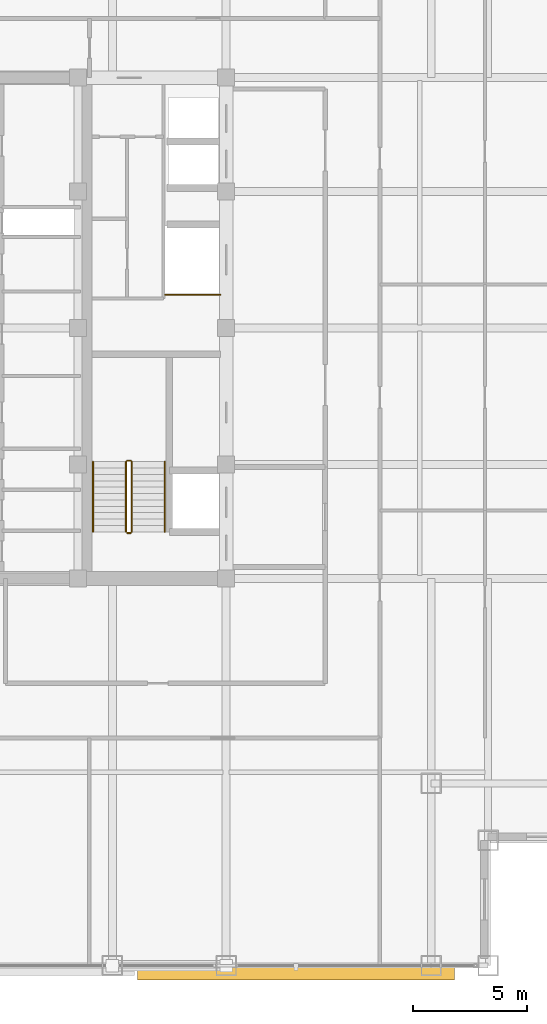
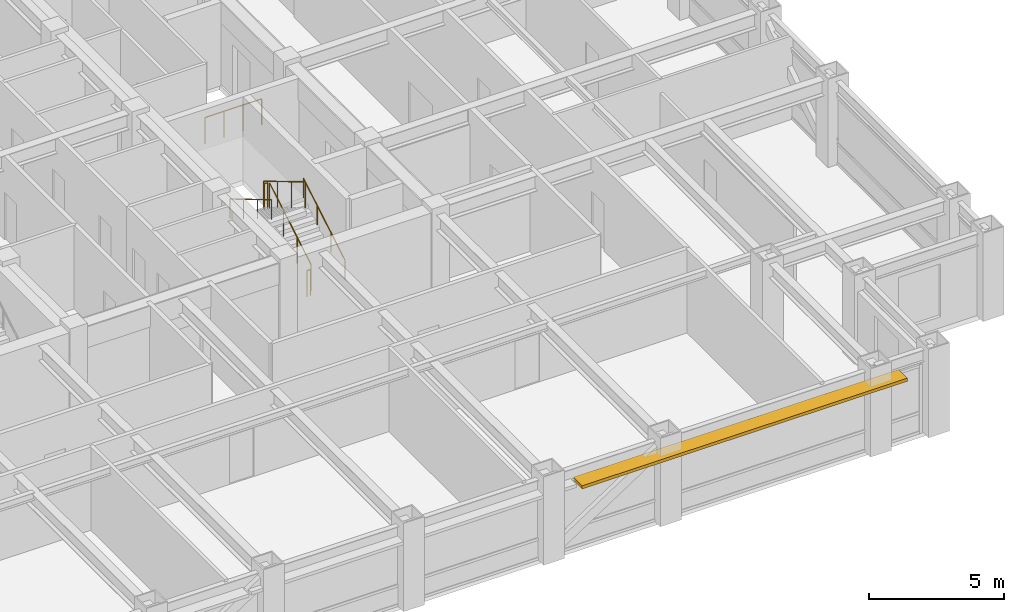
# One storey, part 25 of 27: 7 railings, 1 shading device.
"""IFC4 building model written with IfcOpenShell, lengths in metres."""

from ifc_helpers import new_model, si_unit, direction, frame, origin, origin_2d, place, context, subcontext, project, spatial, rectangle, circle, extrude, source, transform, mapped, material, layer, layer_set, type_object, element, save


model = new_model("IFC4")

# Units and contexts
model_context = context("Model", 3, precision=1e-05, world=origin(), true_north=direction((0.0, 1.0)))
body_context = subcontext(model_context, "Body", "Model", "MODEL_VIEW")
ifc_project = project(units=[si_unit("LENGTHUNIT", "METRE"), si_unit("AREAUNIT", "SQUARE_METRE"), si_unit("VOLUMEUNIT", "CUBIC_METRE"), si_unit("PLANEANGLEUNIT", "RADIAN"), si_unit("MASSUNIT", "GRAM", prefix="KILO")], contexts=[model_context])

# Site, building, storey
site_placement = place(None, origin())
site = spatial("IfcSite", under=ifc_project, at=site_placement, CompositionType="ELEMENT")
building_placement = place(site_placement, origin())
building = spatial("IfcBuilding", under=site, at=building_placement, Name="Khorayat Bourse Tower", CompositionType="ELEMENT")
storey_placement = place(building_placement, frame((0.0, 0.0, 317.5)))
storey = spatial("IfcBuildingStorey", under=building, at=storey_placement, Name="L75", CompositionType="ELEMENT", Elevation=317.5)

# Shading device
ifc_material_1 = material(Name="Precast concrete C45/55", Category="concrete")
ifc_layer = layer(ifc_material_1, 0.139892578125)
ifc_layer_set = layer_set([ifc_layer], Name="Precast concrete C45/55")
shading_device_type = type_object("IfcShadingDeviceType", Name="SHD-WAVE-TRAY-A", PredefinedType="USERDEFINED", material=ifc_layer_set)
shared_shape_1 = source(origin(), body_context, "Body", "SweptSolid", [
    extrude(rectangle(XDim=13.9267578125, YDim=0.65087890625, at=origin_2d()), origin(), (0.0, 0.0, 1.0), 0.139892578125),
])
shading_device_placement = place(storey_placement, frame((14.066650390625, -28.305419921875, 3.0302734375), z_axis=(0.0, 0.0, 1.0), x_axis=(1.0, 0.0, 0.0)))
element("IfcShadingDevice", 1, at=shading_device_placement, inside=storey, type_object=shading_device_type, Name="L75 Sinusoidal Wave Sunshade Tray S-3", ObjectType="SUNSHADE", PredefinedType="USERDEFINED", context=body_context, shape_type="MappedRepresentation", body=[
    mapped(shared_shape_1, transform((0.0, 0.0, 0.0), scale=1.0)),
])

# Railings
ifc_material_2 = material(Name="Powder-coated steel balustrade", Category="steel")
railing_type_1 = type_object("IfcRailingType", Name="RLG-GUARD-1200", PredefinedType="GUARDRAIL", material=ifc_material_2)
shared_shape_2 = source(origin(), body_context, "Body", "SweptSolid", [
    extrude(circle(Radius=0.02392578125, at=origin_2d()), frame((0.0, 0.0, 1.17578125), z_axis=(-1.0, 0.0, 0.0), x_axis=(0.0, -1.0, 0.0)), (0.0, 0.0, 1.0), 0.150146484375),
    extrude(circle(Radius=0.02099609375, at=origin_2d()), origin(), (0.0, 0.0, 1.0), 1.15185546875),
    extrude(circle(Radius=0.02099609375, at=origin_2d()), frame((-0.150146484375, 0.0, 0.0)), (0.0, 0.0, 1.0), 1.15185546875),
])
for number, where, name in (
    (2, (6.800048828125, -5.820068359375, 2.0), "L75 ST-3 stair guard 2"),
    (3, (6.800048828125, -9.0, 0.0), "L75 ST-3 stair guard 4"),
):
    element("IfcRailing", number, at=place(storey_placement, frame(where)), inside=storey, type_object=railing_type_1, Name=name, PredefinedType="GUARDRAIL", context=body_context, shape_type="MappedRepresentation", body=[
        mapped(shared_shape_2, transform((0.0, 0.0, 0.0), scale=1.0)),
    ])
shared_shape_3 = source(origin(), body_context, "Body", "SweptSolid", [
    extrude(circle(Radius=0.02392578125, at=origin_2d()), frame((0.0, 0.0, 1.17578125), z_axis=(0.0, 0.859290745958, 0.51148745235), x_axis=(-1.0, 0.0, 0.0)), (0.0, 0.0, 1.0), 3.584228515625),
    extrude(circle(Radius=0.02099609375, at=origin_2d()), origin(), (0.0, 0.0, 1.0), 1.15185546875),
    extrude(circle(Radius=0.02099609375, at=origin_2d()), frame((0.0, 1.026611328125, 0.611083984375)), (0.0, 0.0, 1.0), 1.15185546875),
    extrude(circle(Radius=0.02099609375, at=origin_2d()), frame((0.0, 2.05322265625, 1.22216796875)), (0.0, 0.0, 1.0), 1.15185546875),
    extrude(circle(Radius=0.02099609375, at=origin_2d()), frame((0.0, 3.079833984375, 1.833251953125)), (0.0, 0.0, 1.0), 1.15185546875),
])
railing_1_placement = place(storey_placement, frame((6.85009765625, -8.949951171875, 0.166748046875)))
element("IfcRailing", 4, at=railing_1_placement, inside=storey, type_object=railing_type_1, Name="L75 ST-3 stair guard 1", PredefinedType="GUARDRAIL", context=body_context, shape_type="MappedRepresentation", body=[
    mapped(shared_shape_3, transform((0.0, 0.0, 0.0), scale=1.0)),
])
shared_shape_4 = source(origin(), body_context, "Body", "SweptSolid", [
    extrude(circle(Radius=0.02392578125, at=origin_2d()), frame((0.0, 0.0, 1.17578125), z_axis=(0.0, -0.859290745958, 0.51148745235), x_axis=(1.0, 0.0, 0.0)), (0.0, 0.0, 1.0), 3.584228515625),
    extrude(circle(Radius=0.02099609375, at=origin_2d()), origin(), (0.0, 0.0, 1.0), 1.15185546875),
    extrude(circle(Radius=0.02099609375, at=origin_2d()), frame((0.0, -1.026611328125, 0.611083984375)), (0.0, 0.0, 1.0), 1.15185546875),
    extrude(circle(Radius=0.02099609375, at=origin_2d()), frame((0.0, -2.05322265625, 1.22216796875)), (0.0, 0.0, 1.0), 1.15185546875),
    extrude(circle(Radius=0.02099609375, at=origin_2d()), frame((0.0, -3.079833984375, 1.833251953125)), (0.0, 0.0, 1.0), 1.15185546875),
])
railing_2_placement = place(storey_placement, frame((6.60009765625, -5.8701171875, 2.166748046875)))
element("IfcRailing", 5, at=railing_2_placement, inside=storey, type_object=railing_type_1, Name="L75 ST-3 stair guard 3", PredefinedType="GUARDRAIL", context=body_context, shape_type="MappedRepresentation", body=[
    mapped(shared_shape_4, transform((0.0, 0.0, 0.0), scale=1.0)),
])
ifc_material_3 = material(Name="Brushed bronze stainless-steel handrail", Category="steel")
railing_type_2 = type_object("IfcRailingType", Name="RLG-HAND-900", PredefinedType="HANDRAIL", material=ifc_material_3)
shared_shape_5 = source(origin(), body_context, "Body", "SweptSolid", [
    extrude(circle(Radius=0.02392578125, at=origin_2d()), frame((0.0, 0.0, 0.8759765625), z_axis=(0.0, 0.859290745958, 0.51148745235), x_axis=(-1.0, 0.0, 0.0)), (0.0, 0.0, 1.0), 3.584228515625),
    extrude(circle(Radius=0.02099609375, at=origin_2d()), origin(), (0.0, 0.0, 1.0), 0.851806640625),
    extrude(circle(Radius=0.02099609375, at=origin_2d()), frame((0.0, 1.026611328125, 0.611083984375)), (0.0, 0.0, 1.0), 0.851806640625),
    extrude(circle(Radius=0.02099609375, at=origin_2d()), frame((0.0, 2.05322265625, 1.22216796875)), (0.0, 0.0, 1.0), 0.851806640625),
    extrude(circle(Radius=0.02099609375, at=origin_2d()), frame((0.0, 3.079833984375, 1.833251953125)), (0.0, 0.0, 1.0), 0.851806640625),
])
railing_3_placement = place(storey_placement, frame((8.300048828125, -8.949951171875, 0.166748046875)))
element("IfcRailing", 6, at=railing_3_placement, inside=storey, type_object=railing_type_2, Name="L75 ST-3 stair handrail 1", PredefinedType="HANDRAIL", context=body_context, shape_type="MappedRepresentation", body=[
    mapped(shared_shape_5, transform((0.0, 0.0, 0.0), scale=1.0)),
])
shared_shape_6 = source(origin(), body_context, "Body", "SweptSolid", [
    extrude(circle(Radius=0.02392578125, at=origin_2d()), frame((0.0, 0.0, 0.8759765625), z_axis=(0.0, -0.859290745958, 0.51148745235), x_axis=(1.0, 0.0, 0.0)), (0.0, 0.0, 1.0), 3.584228515625),
    extrude(circle(Radius=0.02099609375, at=origin_2d()), origin(), (0.0, 0.0, 1.0), 0.851806640625),
    extrude(circle(Radius=0.02099609375, at=origin_2d()), frame((0.0, -1.026611328125, 0.611083984375)), (0.0, 0.0, 1.0), 0.851806640625),
    extrude(circle(Radius=0.02099609375, at=origin_2d()), frame((0.0, -2.05322265625, 1.22216796875)), (0.0, 0.0, 1.0), 0.851806640625),
    extrude(circle(Radius=0.02099609375, at=origin_2d()), frame((0.0, -3.079833984375, 1.833251953125)), (0.0, 0.0, 1.0), 0.851806640625),
])
railing_4_placement = place(storey_placement, frame((5.14990234375, -5.8701171875, 2.166748046875)))
element("IfcRailing", 7, at=railing_4_placement, inside=storey, type_object=railing_type_2, Name="L75 ST-3 stair handrail 2", PredefinedType="HANDRAIL", context=body_context, shape_type="MappedRepresentation", body=[
    mapped(shared_shape_6, transform((0.0, 0.0, 0.0), scale=1.0)),
])
shared_shape_7 = source(origin(), body_context, "Body", "SweptSolid", [
    extrude(circle(Radius=0.02392578125, at=origin_2d()), frame((0.0, 0.0, 1.17578125), z_axis=(1.0, 0.0, 0.0), x_axis=(0.0, 1.0, 0.0)), (0.0, 0.0, 1.0), 2.429931640625),
    extrude(circle(Radius=0.02099609375, at=origin_2d()), origin(), (0.0, 0.0, 1.0), 1.15185546875),
    extrude(circle(Radius=0.02099609375, at=origin_2d()), frame((0.81005859375, 0.0, 0.0)), (0.0, 0.0, 1.0), 1.15185546875),
    extrude(circle(Radius=0.02099609375, at=origin_2d()), frame((1.619873046875, 0.0, 0.0)), (0.0, 0.0, 1.0), 1.15185546875),
    extrude(circle(Radius=0.02099609375, at=origin_2d()), frame((2.429931640625, 0.0, 0.0)), (0.0, 0.0, 1.0), 1.15185546875),
])
railing_5_placement = place(storey_placement, frame((8.320068359375, 1.4599609375, 0.0)))
element("IfcRailing", 8, at=railing_5_placement, inside=storey, type_object=railing_type_1, Name="L75 Goods Shaft Opening Guardrail", PredefinedType="GUARDRAIL", context=body_context, shape_type="MappedRepresentation", body=[
    mapped(shared_shape_7, transform((0.0, 0.0, 0.0), scale=1.0)),
])

save(model, "model.ifc")
